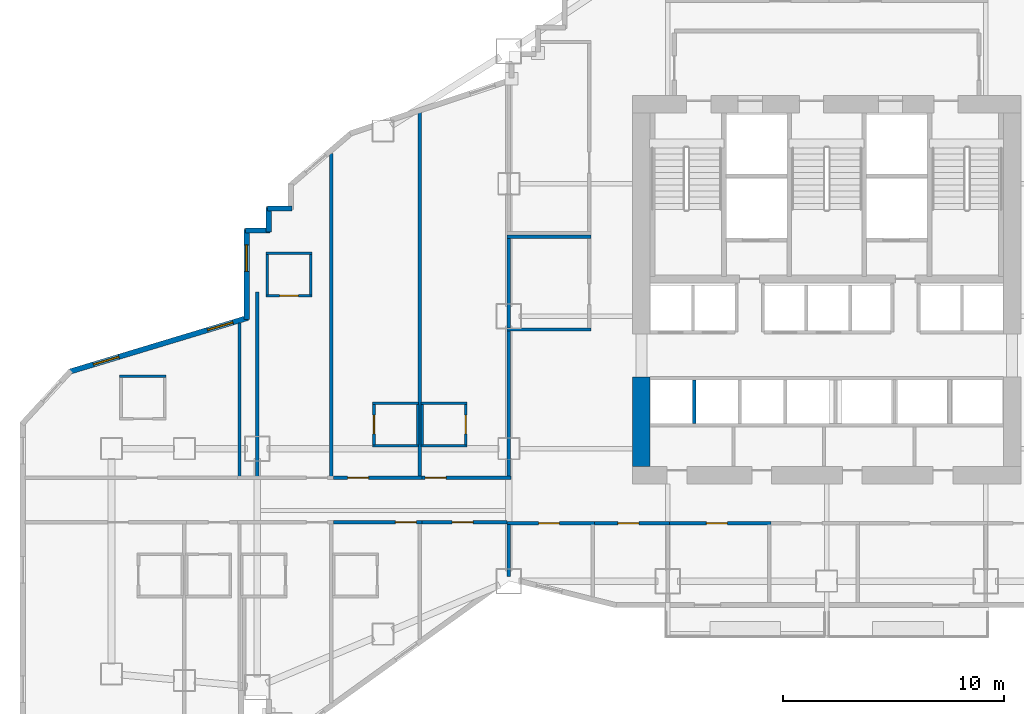
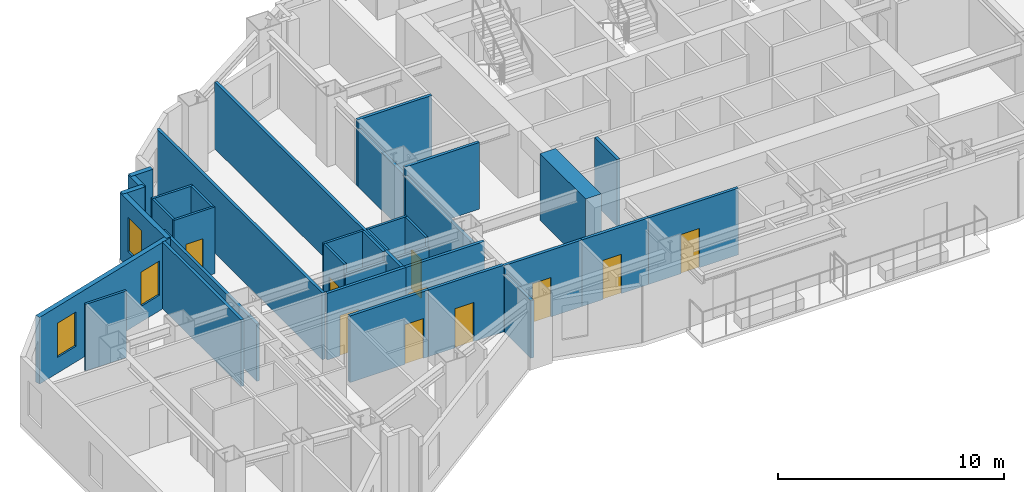
# One storey, part 7 of 18: 36 walls, 10 doors, 3 windows, 13 openings.
"""IFC4 building model written with IfcOpenShell, lengths in metres."""

from ifc_helpers import new_model, si_unit, direction, frame, frame_2d, origin, place, context, subcontext, project, spatial, rectangle, extrude, material, layer, layer_set, type_object, element, fill, save


model = new_model("IFC4")

# Units and contexts
model_context = context("Model", 3, precision=1e-05, world=origin(), true_north=direction((0.0, 1.0)))
body_context = subcontext(model_context, "Body", "Model", "MODEL_VIEW")
ifc_project = project(units=[si_unit("LENGTHUNIT", "METRE"), si_unit("AREAUNIT", "SQUARE_METRE"), si_unit("VOLUMEUNIT", "CUBIC_METRE"), si_unit("PLANEANGLEUNIT", "RADIAN"), si_unit("MASSUNIT", "GRAM", prefix="KILO")], contexts=[model_context])

# Site, building, storey
site_placement = place(None, origin())
site = spatial("IfcSite", under=ifc_project, at=site_placement, CompositionType="ELEMENT")
building_placement = place(site_placement, origin())
building = spatial("IfcBuilding", under=site, at=building_placement, Name="Haolan Belvedere Tower", CompositionType="ELEMENT")
storey_placement = place(building_placement, frame((0.0, 0.0, 51.39990234375)))
storey = spatial("IfcBuildingStorey", under=building, at=storey_placement, Name="L12", CompositionType="ELEMENT", Elevation=51.39990234375)

# Walls
ifc_material_1 = material(Name="Concrete C70/85", Category="concrete")
ifc_layer_1 = layer(ifc_material_1, 0.800048828125, Name="Concrete C70/85")
ifc_layer_set_1 = layer_set([ifc_layer_1], Name="Concrete C70/85")
wall_type_1 = type_object("IfcWallType", Name="WL-CORE-800", PredefinedType="SHEAR", material=ifc_layer_set_1)
wall_1_placement = place(storey_placement, frame((30.0, 26.800048828125, 0.0), z_axis=(0.0, 0.0, 1.0), x_axis=(0.0, 1.0, 0.0)))
element("IfcWall", 1, at=wall_1_placement, inside=storey, type_object=wall_type_1, Name="L12 central core shear wall WS", PredefinedType="SHEAR", context=body_context, shape_type="SweptSolid", body=[
    extrude(rectangle(XDim=4.050048828125, YDim=0.800048828125, at=frame_2d((2.02490234375, 0.0))), origin(), (0.0, 0.0, 1.0), 3.60009765625),
])
ifc_material_2 = material(Name="Precast concrete C40/50", Category="concrete")
ifc_layer_2 = layer(ifc_material_2, 0.239990234375, Name="Precast concrete C40/50")
ifc_layer_set_2 = layer_set([ifc_layer_2], Name="Precast concrete C40/50")
wall_type_2 = type_object("IfcWallType", Name="WL-EXT-240", PredefinedType="SOLIDWALL", material=ifc_layer_set_2)
wall_2_placement = place(storey_placement, frame((14.175048828125, 38.47998046875, 0.0), z_axis=(0.0, 0.0, 1.0), x_axis=(-1.0, 0.0, 0.0)))
element("IfcWall", 2, at=wall_2_placement, inside=storey, type_object=wall_type_2, Name="L12 pale-metal exterior spandrel wall 53.1", PredefinedType="SOLIDWALL", context=body_context, shape_type="SweptSolid", body=[
    extrude(rectangle(XDim=1.110107421875, YDim=0.239990234375, at=frame_2d((0.55517578125, 0.0))), origin(), (0.0, 0.0, 1.0), 3.60009765625),
])
wall_3_placement = place(storey_placement, frame((13.1201171875, 38.534912109375, 0.0), z_axis=(0.0, 0.0, 1.0), x_axis=(0.0, -1.0, 0.0)))
element("IfcWall", 3, at=wall_3_placement, inside=storey, type_object=wall_type_2, Name="L12 pale-metal exterior spandrel wall 54.1", PredefinedType="SOLIDWALL", context=body_context, shape_type="SweptSolid", body=[
    extrude(rectangle(XDim=1.10986328125, YDim=0.239990234375, at=frame_2d((0.554931640625, 0.0))), origin(), (0.0, 0.0, 1.0), 3.60009765625),
])
wall_4_placement = place(storey_placement, frame((13.175048828125, 37.47998046875, 0.0), z_axis=(0.0, 0.0, 1.0), x_axis=(-1.0, 0.0, 0.0)))
element("IfcWall", 4, at=wall_4_placement, inside=storey, type_object=wall_type_2, Name="L12 pale-metal exterior spandrel wall 55.1", PredefinedType="SOLIDWALL", context=body_context, shape_type="SweptSolid", body=[
    extrude(rectangle(XDim=1.110107421875, YDim=0.239990234375, at=frame_2d((0.55517578125, 0.0))), origin(), (0.0, 0.0, 1.0), 3.60009765625),
])

# Wall, opening, window
wall_5_placement = place(storey_placement, frame((12.1201171875, 37.534912109375, 0.0), z_axis=(0.0, 0.0, 1.0), x_axis=(0.0, -1.0, 0.0)))
wall_5 = element("IfcWall", 5, at=wall_5_placement, inside=storey, type_object=wall_type_2, Name="L12 pale-metal exterior spandrel wall 56.1", PredefinedType="SOLIDWALL", context=body_context, shape_type="SweptSolid", body=[
    extrude(rectangle(XDim=4.0791015625, YDim=0.239990234375, at=frame_2d((2.03955078125, 0.0))), origin(), (0.0, 0.0, 1.0), 3.60009765625),
])
opening_1_placement = place(wall_5_placement, frame((0.699951171875, 0.0, 0.85009765625)))
opening_1 = element("IfcOpeningElement", 6, at=opening_1_placement, cuts=wall_5, Name="Opening W-01", PredefinedType="OPENING", context=body_context, shape_type="SweptSolid", body=[
    extrude(rectangle(XDim=1.199951171875, YDim=1.85009765625, at=frame_2d((0.60009765625, 0.925048828125))), frame((0.0, 0.1298828125, 0.0), z_axis=(0.0, -1.0, 0.0), x_axis=(1.0, 0.0, 0.0)), (0.0, 0.0, 1.0), 0.260009765625),
])
ifc_material_3 = material(Name="Anodised aluminium 6063-T6 and Low-E glass", Category="aluminium")
window_type = type_object("IfcWindowType", Name="WN-DECO-Z1", PartitioningType="SINGLE_PANEL", PredefinedType="WINDOW", material=ifc_material_3)
window_1_placement = place(opening_1_placement, origin())
window_1 = element("IfcWindow", 7, at=window_1_placement, inside=storey, type_object=window_type, Name="L12 Art Deco chevron window 1", OverallHeight=1.85009765625, OverallWidth=1.199951171875, PartitioningType="SINGLE_PANEL", PredefinedType="WINDOW", context=body_context, shape_type="SweptSolid", body=[
    extrude(rectangle(XDim=1.199951171875, YDim=1.85009765625, at=frame_2d((0.60009765625, 0.925048828125))), frame((0.0, 0.030029296875, 0.0), z_axis=(0.0, -1.0, 0.0), x_axis=(1.0, 0.0, 0.0)), (0.0, 0.0, 1.0), 0.06005859375),
])
fill(opening_1, window_1)

# Wall, openings, windows
wall_6_placement = place(storey_placement, frame((12.172607421875, 33.52685546875, 0.0), z_axis=(0.0, 0.0, 1.0), x_axis=(-0.957230199513, -0.289327401294, 0.0)))
wall_6 = element("IfcWall", 8, at=wall_6_placement, inside=storey, type_object=wall_type_2, Name="L12 pale-metal exterior spandrel wall 57.1", PredefinedType="SOLIDWALL", context=body_context, shape_type="SweptSolid", body=[
    extrude(rectangle(XDim=8.4609375, YDim=0.239990234375, at=frame_2d((4.23046875, 0.0))), origin(), (0.0, 0.0, 1.0), 3.60009765625),
])
opening_2_placement = place(wall_6_placement, frame((0.699951171875, 0.0, 0.85009765625)))
opening_2 = element("IfcOpeningElement", 9, at=opening_2_placement, cuts=wall_6, Name="Opening W-01", PredefinedType="OPENING", context=body_context, shape_type="SweptSolid", body=[
    extrude(rectangle(XDim=1.199951171875, YDim=1.85009765625, at=frame_2d((0.60009765625, 0.925048828125))), frame((0.0, 0.1298828125, 0.0), z_axis=(0.0, -1.0, 0.0), x_axis=(1.0, 0.0, 0.0)), (0.0, 0.0, 1.0), 0.260009765625),
])
opening_3_placement = place(wall_6_placement, frame((6.10009765625, 0.0, 0.85009765625)))
opening_3 = element("IfcOpeningElement", 10, at=opening_3_placement, cuts=wall_6, Name="Opening W-01", PredefinedType="OPENING", context=body_context, shape_type="SweptSolid", body=[
    extrude(rectangle(XDim=1.199951171875, YDim=1.85009765625, at=frame_2d((0.60009765625, 0.925048828125))), frame((0.0, 0.1298828125, 0.0), z_axis=(0.0, -1.0, 0.0), x_axis=(1.0, 0.0, 0.0)), (0.0, 0.0, 1.0), 0.260009765625),
])
window_2_placement = place(opening_2_placement, origin())
window_2 = element("IfcWindow", 11, at=window_2_placement, inside=storey, type_object=window_type, Name="L12 Art Deco chevron window 1", OverallHeight=1.85009765625, OverallWidth=1.199951171875, PartitioningType="SINGLE_PANEL", PredefinedType="WINDOW", context=body_context, shape_type="SweptSolid", body=[
    extrude(rectangle(XDim=1.199951171875, YDim=1.85009765625, at=frame_2d((0.60009765625, 0.925048828125))), frame((0.0, 0.030029296875, 0.0), z_axis=(0.0, -1.0, 0.0), x_axis=(1.0, 0.0, 0.0)), (0.0, 0.0, 1.0), 0.06005859375),
])
fill(opening_2, window_2)
window_3_placement = place(opening_3_placement, origin())
window_3 = element("IfcWindow", 12, at=window_3_placement, inside=storey, type_object=window_type, Name="L12 Art Deco chevron window 2", OverallHeight=1.85009765625, OverallWidth=1.199951171875, PartitioningType="SINGLE_PANEL", PredefinedType="WINDOW", context=body_context, shape_type="SweptSolid", body=[
    extrude(rectangle(XDim=1.199951171875, YDim=1.85009765625, at=frame_2d((0.60009765625, 0.925048828125))), frame((0.0, 0.030029296875, 0.0), z_axis=(0.0, -1.0, 0.0), x_axis=(1.0, 0.0, 0.0)), (0.0, 0.0, 1.0), 0.06005859375),
])
fill(opening_3, window_3)

# Walls
ifc_material_4 = material(Name="Double gypsum acoustic stud partition", Category="masonry")
ifc_layer_3 = layer(ifc_material_4, 0.14990234375, Name="Double gypsum acoustic stud partition")
ifc_layer_set_3 = layer_set([ifc_layer_3], Name="Double gypsum acoustic stud partition")
wall_type_3 = type_object("IfcWallType", Name="WL-PART-150", PredefinedType="PARTITIONING", material=ifc_layer_set_3)
for number, where, z_axis, x_axis, name in (
    (13, (23.919921875, 37.199951171875, 0.0), (0.0, 0.0, 1.0), (1.0, 0.0, 0.0), "L12 interior partition IW-L12-HSK-N"),
    (14, (23.919921875, 33.0, 0.0), (0.0, 0.0, 1.0), (1.0, 0.0, 0.0), "L12 interior partition IW-L12-HSK-S"),
):
    element("IfcWall", number, at=place(storey_placement, frame(where, z_axis=z_axis, x_axis=x_axis)), inside=storey, type_object=wall_type_3, Name=name, PredefinedType="PARTITIONING", context=body_context, shape_type="SweptSolid", body=[
        extrude(rectangle(XDim=3.800048828125, YDim=0.14990234375, at=frame_2d((1.89990234375, 0.0))), origin(), (0.0, 0.0, 1.0), 3.60009765625),
    ])
wall_7_placement = place(storey_placement, frame((24.0, 33.06005859375, 0.0), z_axis=(0.0, 0.0, 1.0), x_axis=(0.0, 1.0, 0.0)))
element("IfcWall", 15, at=wall_7_placement, inside=storey, type_object=wall_type_3, Name="L12 interior partition IW-L12-HSK-W", PredefinedType="PARTITIONING", context=body_context, shape_type="SweptSolid", body=[
    extrude(rectangle(XDim=4.079833984375, YDim=0.14990234375, at=frame_2d((2.0400390625, 0.0))), origin(), (0.0, 0.0, 1.0), 3.09716796875),
])

# Wall, opening, door
wall_8_placement = place(storey_placement, frame((23.919921875, 24.219970703125, 0.0), z_axis=(0.0, 0.0, 1.0), x_axis=(1.0, 0.0, 0.0)))
wall_8 = element("IfcWall", 16, at=wall_8_placement, inside=storey, type_object=wall_type_3, Name="L12 interior partition IW-L12-KS1-N", PredefinedType="PARTITIONING", context=body_context, shape_type="SweptSolid", body=[
    extrude(rectangle(XDim=3.9599609375, YDim=0.14990234375, at=frame_2d((1.97998046875, 0.0))), origin(), (0.0, 0.0, 1.0), 3.60009765625),
])
opening_4_placement = place(wall_8_placement, frame((2.375, 0.0, 0.0), z_axis=(0.0, 0.0, 1.0), x_axis=(-1.0, 0.0, 0.0)))
opening_4 = element("IfcOpeningElement", 17, at=opening_4_placement, cuts=wall_8, Name="Opening ID-03", PredefinedType="OPENING", context=body_context, shape_type="SweptSolid", body=[
    extrude(rectangle(XDim=0.949951171875, YDim=2.1201171875, at=frame_2d((0.47509765625, 1.06005859375))), frame((0.0, 0.0849609375, 0.0), z_axis=(0.0, -1.0, 0.0), x_axis=(1.0, 0.0, 0.0)), (0.0, 0.0, 1.0), 0.169921875),
])
ifc_material_5 = material(Name="Painted solid-core timber", Category="wood")
door_type_1 = type_object("IfcDoorType", Name="DR-INT-950", OperationType="NOTDEFINED", PredefinedType="DOOR", material=ifc_material_5)
door_1_placement = place(opening_4_placement, origin())
door_1 = element("IfcDoor", 18, at=door_1_placement, inside=storey, type_object=door_type_1, Name="L12 door ID-L12-KS1", OperationType="SINGLE_SWING_RIGHT", OverallHeight=2.1201171875, OverallWidth=0.949951171875, PredefinedType="DOOR", context=body_context, shape_type="SweptSolid", body=[
    extrude(rectangle(XDim=0.949951171875, YDim=2.1201171875, at=frame_2d((0.47509765625, 1.06005859375))), frame((0.0, 0.02490234375, 0.0), z_axis=(0.0, -1.0, 0.0), x_axis=(1.0, 0.0, 0.0)), (0.0, 0.0, 1.0), 0.050048828125),
])
fill(opening_4, door_1)

# Wall
wall_9_placement = place(storey_placement, frame((24.0, 21.818603515625, 0.0), z_axis=(0.0, 0.0, 1.0), x_axis=(0.0, 1.0, 0.0)))
element("IfcWall", 19, at=wall_9_placement, inside=storey, type_object=wall_type_3, Name="L12 interior partition IW-L12-KS1-W", PredefinedType="PARTITIONING", context=body_context, shape_type="SweptSolid", body=[
    extrude(rectangle(XDim=2.34130859375, YDim=0.14990234375, at=frame_2d((1.170654296875, 0.0))), origin(), (0.0, 0.0, 1.0), 3.09716796875),
])

# Wall, opening, door
wall_10_placement = place(storey_placement, frame((27.882080078125, 24.219970703125, 0.0), z_axis=(0.0, 0.0, 1.0), x_axis=(1.0, 0.0, 0.0)))
wall_10 = element("IfcWall", 20, at=wall_10_placement, inside=storey, type_object=wall_type_3, Name="L12 interior partition IW-L12-KS2-N", PredefinedType="PARTITIONING", context=body_context, shape_type="SweptSolid", body=[
    extrude(rectangle(XDim=3.39794921875, YDim=0.14990234375, at=frame_2d((1.698974609375, 0.0))), origin(), (0.0, 0.0, 1.0), 3.60009765625),
])
opening_5_placement = place(wall_10_placement, frame((2.012939453125, 0.0, 0.0), z_axis=(0.0, 0.0, 1.0), x_axis=(-1.0, 0.0, 0.0)))
opening_5 = element("IfcOpeningElement", 21, at=opening_5_placement, cuts=wall_10, Name="Opening ID-03", PredefinedType="OPENING", context=body_context, shape_type="SweptSolid", body=[
    extrude(rectangle(XDim=0.949951171875, YDim=2.1201171875, at=frame_2d((0.47509765625, 1.06005859375))), frame((0.0, 0.0849609375, 0.0), z_axis=(0.0, -1.0, 0.0), x_axis=(1.0, 0.0, 0.0)), (0.0, 0.0, 1.0), 0.169921875),
])
door_2_placement = place(opening_5_placement, origin())
door_2 = element("IfcDoor", 22, at=door_2_placement, inside=storey, type_object=door_type_1, Name="L12 door ID-L12-KS2", OperationType="SINGLE_SWING_LEFT", OverallHeight=2.1201171875, OverallWidth=0.949951171875, PredefinedType="DOOR", context=body_context, shape_type="SweptSolid", body=[
    extrude(rectangle(XDim=0.949951171875, YDim=2.1201171875, at=frame_2d((0.47509765625, 1.06005859375))), frame((0.0, 0.02490234375, 0.0), z_axis=(0.0, -1.0, 0.0), x_axis=(1.0, 0.0, 0.0)), (0.0, 0.0, 1.0), 0.050048828125),
])
fill(opening_5, door_2)

wall_11_placement = place(storey_placement, frame((31.281982421875, 24.219970703125, 0.0), z_axis=(0.0, 0.0, 1.0), x_axis=(1.0, 0.0, 0.0)))
wall_11 = element("IfcWall", 23, at=wall_11_placement, inside=storey, type_object=wall_type_3, Name="L12 interior partition IW-L12-KS3-N", PredefinedType="PARTITIONING", context=body_context, shape_type="SweptSolid", body=[
    extrude(rectangle(XDim=4.597900390625, YDim=0.14990234375, at=frame_2d((2.298828125, 0.0))), origin(), (0.0, 0.0, 1.0), 3.60009765625),
])
opening_6_placement = place(wall_11_placement, frame((2.613037109375, 0.0, 0.0), z_axis=(0.0, 0.0, 1.0), x_axis=(-1.0, 0.0, 0.0)))
opening_6 = element("IfcOpeningElement", 24, at=opening_6_placement, cuts=wall_11, Name="Opening ID-03", PredefinedType="OPENING", context=body_context, shape_type="SweptSolid", body=[
    extrude(rectangle(XDim=0.949951171875, YDim=2.1201171875, at=frame_2d((0.47509765625, 1.06005859375))), frame((0.0, 0.0849609375, 0.0), z_axis=(0.0, -1.0, 0.0), x_axis=(1.0, 0.0, 0.0)), (0.0, 0.0, 1.0), 0.169921875),
])
door_3_placement = place(opening_6_placement, origin())
door_3 = element("IfcDoor", 25, at=door_3_placement, inside=storey, type_object=door_type_1, Name="L12 door ID-L12-KS3", OperationType="SINGLE_SWING_RIGHT", OverallHeight=2.1201171875, OverallWidth=0.949951171875, PredefinedType="DOOR", context=body_context, shape_type="SweptSolid", body=[
    extrude(rectangle(XDim=0.949951171875, YDim=2.1201171875, at=frame_2d((0.47509765625, 1.06005859375))), frame((0.0, 0.02490234375, 0.0), z_axis=(0.0, -1.0, 0.0), x_axis=(1.0, 0.0, 0.0)), (0.0, 0.0, 1.0), 0.050048828125),
])
fill(opening_6, door_3)

# Walls
wall_12_placement = place(storey_placement, frame((11.800048828125, 26.340087890625, 0.0), z_axis=(0.0, 0.0, 1.0), x_axis=(0.0, 1.0, 0.0)))
element("IfcWall", 26, at=wall_12_placement, inside=storey, type_object=wall_type_3, Name="L12 interior partition IW-L12-T2N1-W", PredefinedType="PARTITIONING", context=body_context, shape_type="SweptSolid", body=[
    extrude(rectangle(XDim=6.96435546875, YDim=0.14990234375, at=frame_2d((3.482177734375, 0.0))), origin(), (0.0, 0.0, 1.0), 3.60009765625),
])
wall_13_placement = place(storey_placement, frame((15.949951171875, 26.340087890625, 0.0), z_axis=(0.0, 0.0, 1.0), x_axis=(0.0, 1.0, 0.0)))
element("IfcWall", 27, at=wall_13_placement, inside=storey, type_object=wall_type_3, Name="L12 interior partition IW-L12-T2N1-E", PredefinedType="PARTITIONING", context=body_context, shape_type="SweptSolid", body=[
    extrude(rectangle(XDim=14.635009765625, YDim=0.14990234375, at=frame_2d((7.3173828125, 0.0))), origin(), (0.0, 0.0, 1.0), 3.60009765625),
])

# Wall, opening, door
wall_14_placement = place(storey_placement, frame((16.052001953125, 26.280029296875, 0.0), z_axis=(0.0, 0.0, 1.0), x_axis=(1.0, 0.0, 0.0)))
wall_14 = element("IfcWall", 28, at=wall_14_placement, inside=storey, type_object=wall_type_3, Name="L12 interior partition IW-L12-T2N2-S", PredefinedType="PARTITIONING", context=body_context, shape_type="SweptSolid", body=[
    extrude(rectangle(XDim=4.01806640625, YDim=0.14990234375, at=frame_2d((2.009033203125, 0.0))), origin(), (0.0, 0.0, 1.0), 3.60009765625),
])
opening_7_placement = place(wall_14_placement, frame((0.6494140625, 0.0, 0.0)))
opening_7 = element("IfcOpeningElement", 29, at=opening_7_placement, cuts=wall_14, Name="Opening ID-01", PredefinedType="OPENING", context=body_context, shape_type="SweptSolid", body=[
    extrude(rectangle(XDim=0.949951171875, YDim=2.179931640625, at=frame_2d((0.47509765625, 1.08984375))), frame((0.0, 0.0849609375, 0.0), z_axis=(0.0, -1.0, 0.0), x_axis=(1.0, 0.0, 0.0)), (0.0, 0.0, 1.0), 0.169921875),
])
ifc_material_6 = material(Name="Acoustic walnut veneer fire-rated timber", Category="wood")
door_type_2 = type_object("IfcDoorType", Name="DR-SUITE-950", OperationType="NOTDEFINED", PredefinedType="DOOR", material=ifc_material_6)
door_4_placement = place(opening_7_placement, origin())
door_4 = element("IfcDoor", 30, at=door_4_placement, inside=storey, type_object=door_type_2, Name="L12 door ID-L12-T2N2-ENT", OperationType="SINGLE_SWING_RIGHT", OverallHeight=2.179931640625, OverallWidth=0.949951171875, PredefinedType="DOOR", context=body_context, shape_type="SweptSolid", body=[
    extrude(rectangle(XDim=0.949951171875, YDim=2.179931640625, at=frame_2d((0.47509765625, 1.08984375))), frame((0.0, 0.02490234375, 0.0), z_axis=(0.0, -1.0, 0.0), x_axis=(1.0, 0.0, 0.0)), (0.0, 0.0, 1.0), 0.050048828125),
])
fill(opening_7, door_4)

# Wall
wall_15_placement = place(storey_placement, frame((19.969970703125, 26.340087890625, 0.0), z_axis=(0.0, 0.0, 1.0), x_axis=(0.0, 1.0, 0.0)))
element("IfcWall", 31, at=wall_15_placement, inside=storey, type_object=wall_type_3, Name="L12 interior partition IW-L12-T2N2-E", PredefinedType="PARTITIONING", context=body_context, shape_type="SweptSolid", body=[
    extrude(rectangle(XDim=16.4794921875, YDim=0.14990234375, at=frame_2d((8.23974609375, 0.0))), origin(), (0.0, 0.0, 1.0), 3.60009765625),
])

# Wall, opening, door
wall_16_placement = place(storey_placement, frame((20.072021484375, 26.280029296875, 0.0), z_axis=(0.0, 0.0, 1.0), x_axis=(1.0, 0.0, 0.0)))
wall_16 = element("IfcWall", 32, at=wall_16_placement, inside=storey, type_object=wall_type_3, Name="L12 interior partition IW-L12-T2N3-S", PredefinedType="PARTITIONING", context=body_context, shape_type="SweptSolid", body=[
    extrude(rectangle(XDim=4.028076171875, YDim=0.14990234375, at=frame_2d((2.01416015625, 0.0))), origin(), (0.0, 0.0, 1.0), 3.60009765625),
])
opening_8_placement = place(wall_16_placement, frame((0.139892578125, 0.0, 0.0)))
opening_8 = element("IfcOpeningElement", 33, at=opening_8_placement, cuts=wall_16, Name="Opening ID-01", PredefinedType="OPENING", context=body_context, shape_type="SweptSolid", body=[
    extrude(rectangle(XDim=0.949951171875, YDim=2.179931640625, at=frame_2d((0.47509765625, 1.08984375))), frame((0.0, 0.0849609375, 0.0), z_axis=(0.0, -1.0, 0.0), x_axis=(1.0, 0.0, 0.0)), (0.0, 0.0, 1.0), 0.169921875),
])
door_5_placement = place(opening_8_placement, origin())
door_5 = element("IfcDoor", 34, at=door_5_placement, inside=storey, type_object=door_type_2, Name="L12 door ID-L12-T2N3-ENT", OperationType="SINGLE_SWING_LEFT", OverallHeight=2.179931640625, OverallWidth=0.949951171875, PredefinedType="DOOR", context=body_context, shape_type="SweptSolid", body=[
    extrude(rectangle(XDim=0.949951171875, YDim=2.179931640625, at=frame_2d((0.47509765625, 1.08984375))), frame((0.0, 0.02490234375, 0.0), z_axis=(0.0, -1.0, 0.0), x_axis=(1.0, 0.0, 0.0)), (0.0, 0.0, 1.0), 0.050048828125),
])
fill(opening_8, door_5)

# Wall
wall_17_placement = place(storey_placement, frame((24.0, 26.340087890625, 0.0), z_axis=(0.0, 0.0, 1.0), x_axis=(0.0, 1.0, 0.0)))
element("IfcWall", 35, at=wall_17_placement, inside=storey, type_object=wall_type_3, Name="L12 interior partition IW-L12-T2N3-E", PredefinedType="PARTITIONING", context=body_context, shape_type="SweptSolid", body=[
    extrude(rectangle(XDim=6.599853515625, YDim=0.14990234375, at=frame_2d((3.2998046875, 0.0))), origin(), (0.0, 0.0, 1.0), 3.09716796875),
])

# Wall, opening, door
wall_18_placement = place(storey_placement, frame((16.052001953125, 24.27001953125, 0.0), z_axis=(0.0, 0.0, 1.0), x_axis=(1.0, 0.0, 0.0)))
wall_18 = element("IfcWall", 36, at=wall_18_placement, inside=storey, type_object=wall_type_3, Name="L12 interior partition IW-L12-T2S2-N", PredefinedType="PARTITIONING", context=body_context, shape_type="SweptSolid", body=[
    extrude(rectangle(XDim=4.01806640625, YDim=0.14990234375, at=frame_2d((2.009033203125, 0.0))), origin(), (0.0, 0.0, 1.0), 3.60009765625),
])
opening_9_placement = place(wall_18_placement, frame((3.759765625, 0.0, 0.0), z_axis=(0.0, 0.0, 1.0), x_axis=(-1.0, 0.0, 0.0)))
opening_9 = element("IfcOpeningElement", 37, at=opening_9_placement, cuts=wall_18, Name="Opening ID-02", PredefinedType="OPENING", context=body_context, shape_type="SweptSolid", body=[
    extrude(rectangle(XDim=0.949951171875, YDim=2.14990234375, at=frame_2d((0.47509765625, 1.074951171875))), frame((0.0, 0.0849609375, 0.0), z_axis=(0.0, -1.0, 0.0), x_axis=(1.0, 0.0, 0.0)), (0.0, 0.0, 1.0), 0.169921875),
])
ifc_material_7 = material(Name="Acoustic oak veneer fire-rated timber", Category="wood")
door_type_3 = type_object("IfcDoorType", Name="DR-GUEST-950", OperationType="NOTDEFINED", PredefinedType="DOOR", material=ifc_material_7)
door_6_placement = place(opening_9_placement, origin())
door_6 = element("IfcDoor", 38, at=door_6_placement, inside=storey, type_object=door_type_3, Name="L12 door ID-L12-T2S2-ENT", OperationType="SINGLE_SWING_LEFT", OverallHeight=2.14990234375, OverallWidth=0.949951171875, PredefinedType="DOOR", context=body_context, shape_type="SweptSolid", body=[
    extrude(rectangle(XDim=0.949951171875, YDim=2.14990234375, at=frame_2d((0.47509765625, 1.074951171875))), frame((0.0, 0.02490234375, 0.0), z_axis=(0.0, -1.0, 0.0), x_axis=(1.0, 0.0, 0.0)), (0.0, 0.0, 1.0), 0.050048828125),
])
fill(opening_9, door_6)

wall_19_placement = place(storey_placement, frame((20.072021484375, 24.27001953125, 0.0), z_axis=(0.0, 0.0, 1.0), x_axis=(1.0, 0.0, 0.0)))
wall_19 = element("IfcWall", 39, at=wall_19_placement, inside=storey, type_object=wall_type_3, Name="L12 interior partition IW-L12-T2S3-N", PredefinedType="PARTITIONING", context=body_context, shape_type="SweptSolid", body=[
    extrude(rectangle(XDim=3.845947265625, YDim=0.14990234375, at=frame_2d((1.9228515625, 0.0))), origin(), (0.0, 0.0, 1.0), 3.60009765625),
])
opening_10_placement = place(wall_19_placement, frame((2.307861328125, 0.0, 0.0), z_axis=(0.0, 0.0, 1.0), x_axis=(-1.0, 0.0, 0.0)))
opening_10 = element("IfcOpeningElement", 40, at=opening_10_placement, cuts=wall_19, Name="Opening ID-03", PredefinedType="OPENING", context=body_context, shape_type="SweptSolid", body=[
    extrude(rectangle(XDim=0.949951171875, YDim=2.1201171875, at=frame_2d((0.47509765625, 1.06005859375))), frame((0.0, 0.0849609375, 0.0), z_axis=(0.0, -1.0, 0.0), x_axis=(1.0, 0.0, 0.0)), (0.0, 0.0, 1.0), 0.169921875),
])
door_7_placement = place(opening_10_placement, origin())
door_7 = element("IfcDoor", 41, at=door_7_placement, inside=storey, type_object=door_type_1, Name="L12 door ID-L12-T2S3", OperationType="SINGLE_SWING_RIGHT", OverallHeight=2.1201171875, OverallWidth=0.949951171875, PredefinedType="DOOR", context=body_context, shape_type="SweptSolid", body=[
    extrude(rectangle(XDim=0.949951171875, YDim=2.1201171875, at=frame_2d((0.47509765625, 1.06005859375))), frame((0.0, 0.02490234375, 0.0), z_axis=(0.0, -1.0, 0.0), x_axis=(1.0, 0.0, 0.0)), (0.0, 0.0, 1.0), 0.050048828125),
])
fill(opening_10, door_7)

# Walls
wall_20_placement = place(storey_placement, frame((12.60009765625, 26.340087890625, 0.0), z_axis=(0.0, 0.0, 1.0), x_axis=(0.0, 1.0, 0.0)))
element("IfcWall", 42, at=wall_20_placement, inside=storey, type_object=wall_type_3, Name="L12 interior partition IW-L12-T1N1-E", PredefinedType="PARTITIONING", context=body_context, shape_type="SweptSolid", body=[
    extrude(rectangle(XDim=8.35986328125, YDim=0.14990234375, at=frame_2d((4.179931640625, 0.0))), origin(), (0.0, 0.0, 1.0), 3.09716796875),
])
ifc_material_8 = material(Name="Gypsum fire shaftwall assembly", Category="masonry")
ifc_layer_4 = layer(ifc_material_8, 0.1650390625, Name="Gypsum fire shaftwall assembly")
ifc_layer_set_4 = layer_set([ifc_layer_4], Name="Gypsum fire shaftwall assembly")
wall_type_4 = type_object("IfcWallType", Name="WL-SHAFT-160", PredefinedType="SOLIDWALL", material=ifc_layer_set_4)
wall_21_placement = place(storey_placement, frame((32.39990234375, 28.735107421875, 0.0), z_axis=(0.0, 0.0, 1.0), x_axis=(0.0, 1.0, 0.0)))
element("IfcWall", 43, at=wall_21_placement, inside=storey, type_object=wall_type_4, Name="L12 interior partition IW-L12-DIV-PM1", PredefinedType="SOLIDWALL", context=body_context, shape_type="SweptSolid", body=[
    extrude(rectangle(XDim=1.98486328125, YDim=0.14990234375, at=frame_2d((0.992431640625, 0.0))), origin(), (0.0, 0.0, 1.0), 3.60009765625),
])
ifc_material_9 = material(Name="Moisture-resistant gypsum tile partition", Category="masonry")
ifc_layer_5 = layer(ifc_material_9, 0.1201171875, Name="Moisture-resistant gypsum tile partition")
ifc_layer_set_5 = layer_set([ifc_layer_5], Name="Moisture-resistant gypsum tile partition")
wall_type_5 = type_object("IfcWallType", Name="WL-WET-120", PredefinedType="PARTITIONING", material=ifc_layer_set_5)
wall_22_placement = place(storey_placement, frame((12.989990234375, 36.447021484375, 0.0), z_axis=(0.0, 0.0, 1.0), x_axis=(1.0, 0.0, 0.0)))
element("IfcWall", 44, at=wall_22_placement, inside=storey, type_object=wall_type_5, Name="L12 interior partition IW-L12-T2N1-BN", PredefinedType="PARTITIONING", context=body_context, shape_type="SweptSolid", body=[
    extrude(rectangle(XDim=2.10009765625, YDim=0.1201171875, at=frame_2d((1.050048828125, 0.0))), origin(), (0.0, 0.0, 1.0), 3.60009765625),
])

# Wall, opening, door
wall_23_placement = place(storey_placement, frame((12.989990234375, 34.527099609375, 0.0), z_axis=(0.0, 0.0, 1.0), x_axis=(1.0, 0.0, 0.0)))
wall_23 = element("IfcWall", 45, at=wall_23_placement, inside=storey, type_object=wall_type_5, Name="L12 interior partition IW-L12-T2N1-BS", PredefinedType="PARTITIONING", context=body_context, shape_type="SweptSolid", body=[
    extrude(rectangle(XDim=2.10009765625, YDim=0.1201171875, at=frame_2d((1.050048828125, 0.0))), origin(), (0.0, 0.0, 1.0), 3.60009765625),
])
opening_11_placement = place(wall_23_placement, frame((0.625, 0.0, 0.0)))
opening_11 = element("IfcOpeningElement", 46, at=opening_11_placement, cuts=wall_23, Name="Opening ID-05", PredefinedType="OPENING", context=body_context, shape_type="SweptSolid", body=[
    extrude(rectangle(XDim=0.85009765625, YDim=2.10009765625, at=frame_2d((0.425048828125, 1.050048828125))), frame((0.0, 0.070068359375, 0.0), z_axis=(0.0, -1.0, 0.0), x_axis=(1.0, 0.0, 0.0)), (0.0, 0.0, 1.0), 0.14013671875),
])
ifc_material_10 = material(Name="Moisture-resistant lacquered timber", Category="wood")
door_type_4 = type_object("IfcDoorType", Name="DR-BATH-850", OperationType="NOTDEFINED", PredefinedType="DOOR", material=ifc_material_10)
door_8_placement = place(opening_11_placement, origin())
door_8 = element("IfcDoor", 47, at=door_8_placement, inside=storey, type_object=door_type_4, Name="L12 door ID-L12-T2N1-BATH", OperationType="SINGLE_SWING_RIGHT", OverallHeight=2.10009765625, OverallWidth=0.85009765625, PredefinedType="DOOR", context=body_context, shape_type="SweptSolid", body=[
    extrude(rectangle(XDim=0.85009765625, YDim=2.10009765625, at=frame_2d((0.425048828125, 1.050048828125))), frame((0.0, 0.02490234375, 0.0), z_axis=(0.0, -1.0, 0.0), x_axis=(1.0, 0.0, 0.0)), (0.0, 0.0, 1.0), 0.050048828125),
])
fill(opening_11, door_8)

# Walls
for number, where, z_axis, x_axis, name in (
    (48, (13.050048828125, 34.572021484375, 0.0), (0.0, 0.0, 1.0), (0.0, 1.0, 0.0), "L12 interior partition IW-L12-T2N1-BW"),
    (49, (15.030029296875, 34.572021484375, 0.0), (0.0, 0.0, 1.0), (0.0, 1.0, 0.0), "L12 interior partition IW-L12-T2N1-BE"),
):
    element("IfcWall", number, at=place(storey_placement, frame(where, z_axis=z_axis, x_axis=x_axis)), inside=storey, type_object=wall_type_5, Name=name, PredefinedType="PARTITIONING", context=body_context, shape_type="SweptSolid", body=[
        extrude(rectangle(XDim=1.830078125, YDim=0.1201171875, at=frame_2d((0.9150390625, 0.0))), origin(), (0.0, 0.0, 1.0), 3.60009765625),
    ])
wall_24_placement = place(storey_placement, frame((17.830078125, 29.64990234375, 0.0), z_axis=(0.0, 0.0, 1.0), x_axis=(1.0, 0.0, 0.0)))
element("IfcWall", 50, at=wall_24_placement, inside=storey, type_object=wall_type_5, Name="L12 interior partition IW-L12-T2N2-BN", PredefinedType="PARTITIONING", context=body_context, shape_type="SweptSolid", body=[
    extrude(rectangle(XDim=2.079833984375, YDim=0.1201171875, at=frame_2d((1.0400390625, 0.0))), origin(), (0.0, 0.0, 1.0), 3.60009765625),
])
wall_25_placement = place(storey_placement, frame((17.830078125, 27.72998046875, 0.0), z_axis=(0.0, 0.0, 1.0), x_axis=(1.0, 0.0, 0.0)))
element("IfcWall", 51, at=wall_25_placement, inside=storey, type_object=wall_type_5, Name="L12 interior partition IW-L12-T2N2-BS", PredefinedType="PARTITIONING", context=body_context, shape_type="SweptSolid", body=[
    extrude(rectangle(XDim=2.079833984375, YDim=0.1201171875, at=frame_2d((1.0400390625, 0.0))), origin(), (0.0, 0.0, 1.0), 3.09716796875),
])

# Wall, opening, door
wall_26_placement = place(storey_placement, frame((17.889892578125, 27.77490234375, 0.0), z_axis=(0.0, 0.0, 1.0), x_axis=(0.0, 1.0, 0.0)))
wall_26 = element("IfcWall", 52, at=wall_26_placement, inside=storey, type_object=wall_type_5, Name="L12 interior partition IW-L12-T2N2-BW", PredefinedType="PARTITIONING", context=body_context, shape_type="SweptSolid", body=[
    extrude(rectangle(XDim=1.830078125, YDim=0.1201171875, at=frame_2d((0.9150390625, 0.0))), origin(), (0.0, 0.0, 1.0), 3.60009765625),
])
opening_12_placement = place(wall_26_placement, frame((1.340087890625, 0.0, 0.0), z_axis=(0.0, 0.0, 1.0), x_axis=(-1.0, 0.0, 0.0)))
opening_12 = element("IfcOpeningElement", 53, at=opening_12_placement, cuts=wall_26, Name="Opening ID-05", PredefinedType="OPENING", context=body_context, shape_type="SweptSolid", body=[
    extrude(rectangle(XDim=0.85009765625, YDim=2.10009765625, at=frame_2d((0.425048828125, 1.050048828125))), frame((0.0, 0.070068359375, 0.0), z_axis=(0.0, -1.0, 0.0), x_axis=(1.0, 0.0, 0.0)), (0.0, 0.0, 1.0), 0.14013671875),
])
door_9_placement = place(opening_12_placement, origin())
door_9 = element("IfcDoor", 54, at=door_9_placement, inside=storey, type_object=door_type_4, Name="L12 door ID-L12-T2N2-BATH", OperationType="SINGLE_SWING_LEFT", OverallHeight=2.10009765625, OverallWidth=0.85009765625, PredefinedType="DOOR", context=body_context, shape_type="SweptSolid", body=[
    extrude(rectangle(XDim=0.85009765625, YDim=2.10009765625, at=frame_2d((0.425048828125, 1.050048828125))), frame((0.0, 0.02490234375, 0.0), z_axis=(0.0, -1.0, 0.0), x_axis=(1.0, 0.0, 0.0)), (0.0, 0.0, 1.0), 0.050048828125),
])
fill(opening_12, door_9)

# Walls
wall_27_placement = place(storey_placement, frame((19.8701171875, 27.77490234375, 0.0), z_axis=(0.0, 0.0, 1.0), x_axis=(0.0, 1.0, 0.0)))
element("IfcWall", 55, at=wall_27_placement, inside=storey, type_object=wall_type_5, Name="L12 interior partition IW-L12-T2N2-BE", PredefinedType="PARTITIONING", context=body_context, shape_type="SweptSolid", body=[
    extrude(rectangle(XDim=1.830078125, YDim=0.1201171875, at=frame_2d((0.9150390625, 0.0))), origin(), (0.0, 0.0, 1.0), 3.60009765625),
])
wall_28_placement = place(storey_placement, frame((20.030029296875, 29.64990234375, 0.0), z_axis=(0.0, 0.0, 1.0), x_axis=(1.0, 0.0, 0.0)))
element("IfcWall", 56, at=wall_28_placement, inside=storey, type_object=wall_type_5, Name="L12 interior partition IW-L12-T2N3-BN", PredefinedType="PARTITIONING", context=body_context, shape_type="SweptSolid", body=[
    extrude(rectangle(XDim=2.080078125, YDim=0.1201171875, at=frame_2d((1.0400390625, 0.0))), origin(), (0.0, 0.0, 1.0), 3.60009765625),
])
wall_29_placement = place(storey_placement, frame((20.030029296875, 27.72998046875, 0.0), z_axis=(0.0, 0.0, 1.0), x_axis=(1.0, 0.0, 0.0)))
element("IfcWall", 57, at=wall_29_placement, inside=storey, type_object=wall_type_5, Name="L12 interior partition IW-L12-T2N3-BS", PredefinedType="PARTITIONING", context=body_context, shape_type="SweptSolid", body=[
    extrude(rectangle(XDim=2.080078125, YDim=0.1201171875, at=frame_2d((1.0400390625, 0.0))), origin(), (0.0, 0.0, 1.0), 3.09716796875),
])
wall_30_placement = place(storey_placement, frame((20.070068359375, 27.77490234375, 0.0), z_axis=(0.0, 0.0, 1.0), x_axis=(0.0, 1.0, 0.0)))
element("IfcWall", 58, at=wall_30_placement, inside=storey, type_object=wall_type_5, Name="L12 interior partition IW-L12-T2N3-BW", PredefinedType="PARTITIONING", context=body_context, shape_type="SweptSolid", body=[
    extrude(rectangle(XDim=1.830078125, YDim=0.1201171875, at=frame_2d((0.9150390625, 0.0))), origin(), (0.0, 0.0, 1.0), 3.60009765625),
])

# Wall, opening, door
wall_31_placement = place(storey_placement, frame((22.050048828125, 27.77490234375, 0.0), z_axis=(0.0, 0.0, 1.0), x_axis=(0.0, 1.0, 0.0)))
wall_31 = element("IfcWall", 59, at=wall_31_placement, inside=storey, type_object=wall_type_5, Name="L12 interior partition IW-L12-T2N3-BE", PredefinedType="PARTITIONING", context=body_context, shape_type="SweptSolid", body=[
    extrude(rectangle(XDim=1.830078125, YDim=0.1201171875, at=frame_2d((0.9150390625, 0.0))), origin(), (0.0, 0.0, 1.0), 3.60009765625),
])
opening_13_placement = place(wall_31_placement, frame((0.489990234375, 0.0, 0.0)))
opening_13 = element("IfcOpeningElement", 60, at=opening_13_placement, cuts=wall_31, Name="Opening ID-05", PredefinedType="OPENING", context=body_context, shape_type="SweptSolid", body=[
    extrude(rectangle(XDim=0.85009765625, YDim=2.10009765625, at=frame_2d((0.425048828125, 1.050048828125))), frame((0.0, 0.070068359375, 0.0), z_axis=(0.0, -1.0, 0.0), x_axis=(1.0, 0.0, 0.0)), (0.0, 0.0, 1.0), 0.14013671875),
])
door_10_placement = place(opening_13_placement, origin())
door_10 = element("IfcDoor", 61, at=door_10_placement, inside=storey, type_object=door_type_4, Name="L12 door ID-L12-T2N3-BATH", OperationType="SINGLE_SWING_RIGHT", OverallHeight=2.10009765625, OverallWidth=0.85009765625, PredefinedType="DOOR", context=body_context, shape_type="SweptSolid", body=[
    extrude(rectangle(XDim=0.85009765625, YDim=2.10009765625, at=frame_2d((0.425048828125, 1.050048828125))), frame((0.0, 0.02490234375, 0.0), z_axis=(0.0, -1.0, 0.0), x_axis=(1.0, 0.0, 0.0)), (0.0, 0.0, 1.0), 0.050048828125),
])
fill(opening_13, door_10)

# Wall
wall_32_placement = place(storey_placement, frame((6.373046875, 30.8779296875, 0.0), z_axis=(0.0, 0.0, 1.0), x_axis=(1.0, 0.0, 0.0)))
element("IfcWall", 62, at=wall_32_placement, inside=storey, type_object=wall_type_5, Name="L12 interior partition IW-L12-T1N1-BN", PredefinedType="PARTITIONING", context=body_context, shape_type="SweptSolid", body=[
    extrude(rectangle(XDim=2.099853515625, YDim=0.1201171875, at=frame_2d((1.0498046875, 0.0))), origin(), (0.0, 0.0, 1.0), 3.60009765625),
])

save(model, "model.ifc")
